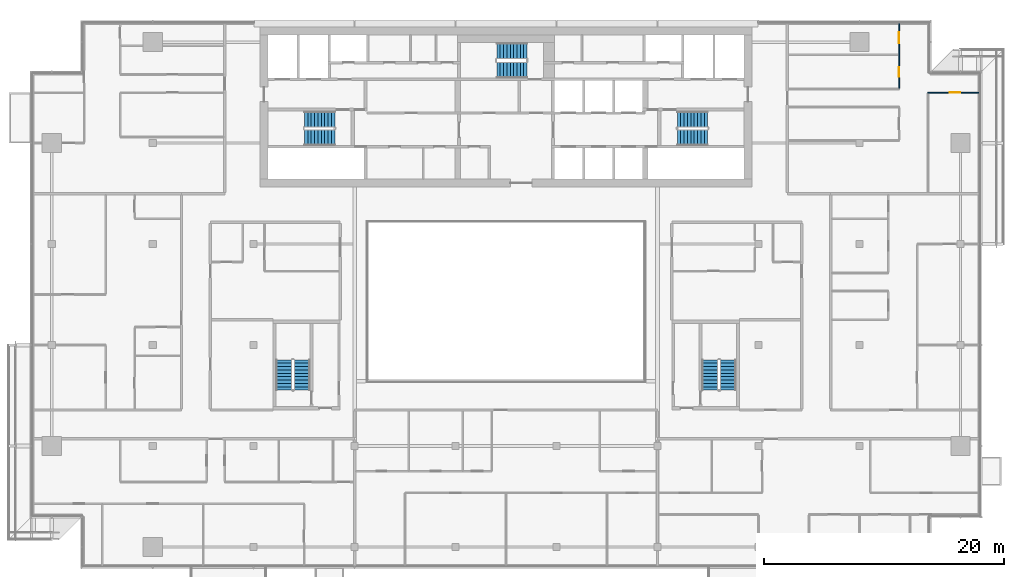
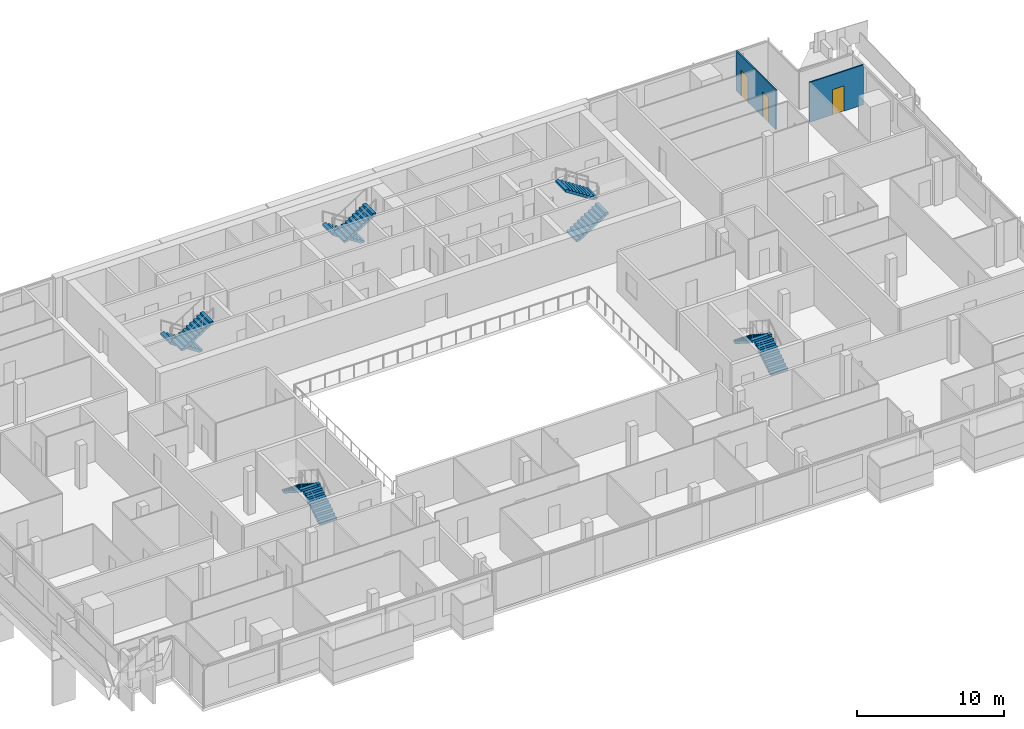
# One storey, part 25 of 30: 10 stair flights, 3 doors, 2 walls, 3 openings, 5 elements without a shape of their own.
"""IFC4 building model written with IfcOpenShell, lengths in metres."""

from ifc_helpers import new_model, si_unit, direction, frame, frame_2d, origin, place, context, subcontext, project, spatial, polyline, rectangle, outline, extrude, material, layer, layer_set, type_object, element, fill, aggregate, save


model = new_model("IFC4")

# Units and contexts
model_context = context("Model", 3, precision=1e-05, world=origin(), true_north=direction((0.0, 1.0)))
body_context = subcontext(model_context, "Body", "Model", "MODEL_VIEW")
ifc_project = project(units=[si_unit("LENGTHUNIT", "METRE"), si_unit("AREAUNIT", "SQUARE_METRE"), si_unit("VOLUMEUNIT", "CUBIC_METRE"), si_unit("PLANEANGLEUNIT", "RADIAN"), si_unit("MASSUNIT", "GRAM", prefix="KILO")], contexts=[model_context])

# Site, building, storey
site_placement = place(None, origin())
site = spatial("IfcSite", under=ifc_project, at=site_placement, CompositionType="ELEMENT")
building_placement = place(site_placement, origin())
building = spatial("IfcBuilding", under=site, at=building_placement, Name="Saffron Gate Tower", CompositionType="ELEMENT")
storey_placement = place(building_placement, frame((0.0, 0.0, 223.5)))
storey = spatial("IfcBuildingStorey", under=building, at=storey_placement, Name="L54", CompositionType="ELEMENT", Elevation=223.5)

# Wall, opening, door
ifc_material_1 = material(Name="Plasterboard on steel studs", Category="steel")
ifc_layer = layer(ifc_material_1, 0.10009765625)
ifc_layer_set = layer_set([ifc_layer], Name="PW1 Partition 100")
wall_type = type_object("IfcWallType", Name="PW1 Partition 100", PredefinedType="PARTITIONING", material=ifc_layer_set)
wall_1_placement = place(storey_placement, frame((126.919921875, 69.60009765625, 0.0), z_axis=(0.0, 0.0, 1.0), x_axis=(-1.0, 0.0, 0.0)))
wall_1 = element("IfcWall", 1, at=wall_1_placement, inside=storey, type_object=wall_type, Name="Partition D2-52", PredefinedType="PARTITIONING", context=body_context, shape_type="SweptSolid", body=[
    extrude(rectangle(XDim=4.219970703125, YDim=0.10009765625, at=frame_2d((2.10986328125, 0.0))), origin(), (0.0, 0.0, 1.0), 3.320068359375),
])
opening_1_placement = place(wall_1_placement, frame((1.52001953125, 0.0, 0.0)))
opening_1 = element("IfcOpeningElement", 2, at=opening_1_placement, cuts=wall_1, Name="Opening D2-34", PredefinedType="OPENING", context=body_context, shape_type="SweptSolid", body=[
    extrude(rectangle(XDim=0.89990234375, YDim=2.10009765625, at=frame_2d((0.449951171875, 1.050048828125))), frame((0.0, 0.06005859375, 0.0), z_axis=(0.0, -1.0, 0.0), x_axis=(1.0, 0.0, 0.0)), (0.0, 0.0, 1.0), 0.1201171875),
])
ifc_material_2 = material(Name="Timber door set", Category="wood")
door_type_1 = type_object("IfcDoorType", Name="RD1 Room door 900x2100", OperationType="NOTDEFINED", PredefinedType="DOOR", material=ifc_material_2)
door_1_placement = place(opening_1_placement, origin())
door_1 = element("IfcDoor", 3, at=door_1_placement, inside=storey, type_object=door_type_1, Name="Door D2-34", OperationType="SINGLE_SWING_LEFT", OverallHeight=2.10009765625, OverallWidth=0.89990234375, PredefinedType="DOOR", context=body_context, shape_type="SweptSolid", body=[
    extrude(rectangle(XDim=0.89990234375, YDim=2.10009765625, at=frame_2d((0.449951171875, 1.050048828125))), frame((0.0, 0.02490234375, 0.0), z_axis=(0.0, -1.0, 0.0), x_axis=(1.0, 0.0, 0.0)), (0.0, 0.0, 1.0), 0.050048828125),
])
fill(opening_1, door_1)

# Wall, openings, doors
wall_2_placement = place(storey_placement, frame((120.300048828125, 69.949951171875, 0.0), z_axis=(0.0, 0.0, 1.0), x_axis=(0.0, 1.0, 0.0)))
wall_2 = element("IfcWall", 4, at=wall_2_placement, inside=storey, type_object=wall_type, Name="Partition D2-113", PredefinedType="PARTITIONING", context=body_context, shape_type="SweptSolid", body=[
    extrude(rectangle(XDim=5.3701171875, YDim=0.10009765625, at=frame_2d((2.68505859375, 0.0))), origin(), (0.0, 0.0, 1.0), 3.320068359375),
])
opening_2_placement = place(wall_2_placement, frame((0.974853515625, 0.0, 0.0)))
opening_2 = element("IfcOpeningElement", 5, at=opening_2_placement, cuts=wall_2, Name="Opening D2-51", PredefinedType="OPENING", context=body_context, shape_type="SweptSolid", body=[
    extrude(rectangle(XDim=0.800048828125, YDim=2.10009765625, at=frame_2d((0.39990234375, 1.050048828125))), frame((0.0, 0.06005859375, 0.0), z_axis=(0.0, -1.0, 0.0), x_axis=(1.0, 0.0, 0.0)), (0.0, 0.0, 1.0), 0.1201171875),
])
opening_3_placement = place(wall_2_placement, frame((3.774658203125, 0.0, 0.0)))
opening_3 = element("IfcOpeningElement", 6, at=opening_3_placement, cuts=wall_2, Name="Opening D2-36", PredefinedType="OPENING", context=body_context, shape_type="SweptSolid", body=[
    extrude(rectangle(XDim=0.89990234375, YDim=2.10009765625, at=frame_2d((0.449951171875, 1.050048828125))), frame((0.0, 0.06005859375, 0.0), z_axis=(0.0, -1.0, 0.0), x_axis=(1.0, 0.0, 0.0)), (0.0, 0.0, 1.0), 0.1201171875),
])
door_2_placement = place(opening_3_placement, origin())
door_2 = element("IfcDoor", 7, at=door_2_placement, inside=storey, type_object=door_type_1, Name="Door D2-36", OperationType="SINGLE_SWING_RIGHT", OverallHeight=2.10009765625, OverallWidth=0.89990234375, PredefinedType="DOOR", context=body_context, shape_type="SweptSolid", body=[
    extrude(rectangle(XDim=0.89990234375, YDim=2.10009765625, at=frame_2d((0.449951171875, 1.050048828125))), frame((0.0, 0.02490234375, 0.0), z_axis=(0.0, -1.0, 0.0), x_axis=(1.0, 0.0, 0.0)), (0.0, 0.0, 1.0), 0.050048828125),
])
fill(opening_3, door_2)
door_type_2 = type_object("IfcDoorType", Name="RD2 Bathroom door 800x2100", OperationType="NOTDEFINED", PredefinedType="DOOR", material=ifc_material_2)
door_3_placement = place(opening_2_placement, origin())
door_3 = element("IfcDoor", 8, at=door_3_placement, inside=storey, type_object=door_type_2, Name="Door D2-51", OperationType="SINGLE_SWING_LEFT", OverallHeight=2.10009765625, OverallWidth=0.800048828125, PredefinedType="DOOR", context=body_context, shape_type="SweptSolid", body=[
    extrude(rectangle(XDim=0.800048828125, YDim=2.10009765625, at=frame_2d((0.39990234375, 1.050048828125))), frame((0.0, 0.02490234375, 0.0), z_axis=(0.0, -1.0, 0.0), x_axis=(1.0, 0.0, 0.0)), (0.0, 0.0, 1.0), 0.050048828125),
])
fill(opening_2, door_3)

# Stair, stair flights
ifc_material_3 = material(Name="Concrete C40", Category="concrete")
stair_type = type_object("IfcStairType", Name="ST7 Stair 1350 wide, 20 risers of 180", PredefinedType="HALF_TURN_STAIR", material=ifc_material_3)
stair_1_placement = place(storey_placement, origin())
stair_1 = element("IfcStair", 9, at=stair_1_placement, inside=storey, type_object=stair_type, Name="L54 Exit stair A", PredefinedType="HALF_TURN_STAIR")
stair_flight_type = type_object("IfcStairFlightType", Name="SF3 Stair flight 1350 wide, riser 180 going 280", PredefinedType="STRAIGHT", material=ifc_material_3)
stair_flight_1_placement = place(storey_placement, frame((73.35009765625, 67.375, 0.0), z_axis=(0.0, 0.0, 1.0), x_axis=(-1.0, 0.0, 0.0)))
stair_flight_1 = element("IfcStairFlight", 10, at=stair_flight_1_placement, type_object=stair_flight_type, Name="ST-A flight 1", NumberOfRisers=10, NumberOfTreads=9, PredefinedType="STRAIGHT", RiserHeight=0.18, TreadLength=0.28, context=body_context, shape_type="SweptSolid", body=[
    extrude(outline(polyline([(0.0, 0.0), (0.0, 0.179931640625), (0.280029296875, 0.179931640625), (0.280029296875, 0.360107421875), (0.56005859375, 0.360107421875), (0.56005859375, 0.5400390625), (0.840087890625, 0.5400390625), (0.840087890625, 0.719970703125), (1.1201171875, 0.719970703125), (1.1201171875, 0.89990234375), (1.39990234375, 0.89990234375), (1.39990234375, 1.080078125), (1.679931640625, 1.080078125), (1.679931640625, 1.260009765625), (1.9599609375, 1.260009765625), (1.9599609375, 1.43994140625), (2.239990234375, 1.43994140625), (2.239990234375, 1.6201171875), (2.52001953125, 1.6201171875), (2.52001953125, 1.800048828125), (2.52001953125, 1.44189453125), (0.277099609375, 0.0), (0.0, 0.0)])), frame((0.0, 0.675048828125, 0.0), z_axis=(0.0, -1.0, 0.0), x_axis=(1.0, 0.0, 0.0)), (0.0, 0.0, 1.0), 1.35009765625),
])
stair_flight_2_placement = place(storey_placement, frame((70.830078125, 65.875, 1.800048828125), z_axis=(0.0, 0.0, 1.0), x_axis=(1.0, 0.0, 0.0)))
stair_flight_2 = element("IfcStairFlight", 11, at=stair_flight_2_placement, type_object=stair_flight_type, Name="ST-A flight 2", NumberOfRisers=10, NumberOfTreads=9, PredefinedType="STRAIGHT", RiserHeight=0.18, TreadLength=0.28, context=body_context, shape_type="SweptSolid", body=[
    extrude(outline(polyline([(0.0, 0.0), (0.0, 0.179931640625), (0.280029296875, 0.179931640625), (0.280029296875, 0.360107421875), (0.56005859375, 0.360107421875), (0.56005859375, 0.5400390625), (0.840087890625, 0.5400390625), (0.840087890625, 0.719970703125), (1.1201171875, 0.719970703125), (1.1201171875, 0.89990234375), (1.39990234375, 0.89990234375), (1.39990234375, 1.080078125), (1.679931640625, 1.080078125), (1.679931640625, 1.260009765625), (1.9599609375, 1.260009765625), (1.9599609375, 1.43994140625), (2.239990234375, 1.43994140625), (2.239990234375, 1.6201171875), (2.52001953125, 1.6201171875), (2.52001953125, 1.800048828125), (2.52001953125, 1.44189453125), (0.277099609375, 0.0), (0.0, 0.0)])), frame((0.0, 0.675048828125, 0.0), z_axis=(0.0, -1.0, 0.0), x_axis=(1.0, 0.0, 0.0)), (0.0, 0.0, 1.0), 1.35009765625),
])
aggregate(stair_1, [stair_flight_1, stair_flight_2])

stair_2_placement = place(storey_placement, origin())
stair_2 = element("IfcStair", 12, at=stair_2_placement, inside=storey, type_object=stair_type, Name="L54 Exit stair B", PredefinedType="HALF_TURN_STAIR")
stair_flight_3_placement = place(storey_placement, frame((101.85009765625, 65.875, 0.0), z_axis=(0.0, 0.0, 1.0), x_axis=(1.0, 0.0, 0.0)))
stair_flight_3 = element("IfcStairFlight", 13, at=stair_flight_3_placement, type_object=stair_flight_type, Name="ST-B flight 1", NumberOfRisers=10, NumberOfTreads=9, PredefinedType="STRAIGHT", RiserHeight=0.18, TreadLength=0.28, context=body_context, shape_type="SweptSolid", body=[
    extrude(outline(polyline([(0.0, 0.0), (0.0, 0.179931640625), (0.280029296875, 0.179931640625), (0.280029296875, 0.360107421875), (0.56005859375, 0.360107421875), (0.56005859375, 0.5400390625), (0.840087890625, 0.5400390625), (0.840087890625, 0.719970703125), (1.1201171875, 0.719970703125), (1.1201171875, 0.89990234375), (1.39990234375, 0.89990234375), (1.39990234375, 1.080078125), (1.679931640625, 1.080078125), (1.679931640625, 1.260009765625), (1.9599609375, 1.260009765625), (1.9599609375, 1.43994140625), (2.239990234375, 1.43994140625), (2.239990234375, 1.6201171875), (2.52001953125, 1.6201171875), (2.52001953125, 1.800048828125), (2.52001953125, 1.44189453125), (0.277099609375, 0.0), (0.0, 0.0)])), frame((0.0, 0.675048828125, 0.0), z_axis=(0.0, -1.0, 0.0), x_axis=(1.0, 0.0, 0.0)), (0.0, 0.0, 1.0), 1.35009765625),
])
stair_flight_4_placement = place(storey_placement, frame((104.3701171875, 67.375, 1.800048828125), z_axis=(0.0, 0.0, 1.0), x_axis=(-1.0, 0.0, 0.0)))
stair_flight_4 = element("IfcStairFlight", 14, at=stair_flight_4_placement, type_object=stair_flight_type, Name="ST-B flight 2", NumberOfRisers=10, NumberOfTreads=9, PredefinedType="STRAIGHT", RiserHeight=0.18, TreadLength=0.28, context=body_context, shape_type="SweptSolid", body=[
    extrude(outline(polyline([(0.0, 0.0), (0.0, 0.179931640625), (0.280029296875, 0.179931640625), (0.280029296875, 0.360107421875), (0.56005859375, 0.360107421875), (0.56005859375, 0.5400390625), (0.840087890625, 0.5400390625), (0.840087890625, 0.719970703125), (1.1201171875, 0.719970703125), (1.1201171875, 0.89990234375), (1.39990234375, 0.89990234375), (1.39990234375, 1.080078125), (1.679931640625, 1.080078125), (1.679931640625, 1.260009765625), (1.9599609375, 1.260009765625), (1.9599609375, 1.43994140625), (2.239990234375, 1.43994140625), (2.239990234375, 1.6201171875), (2.52001953125, 1.6201171875), (2.52001953125, 1.800048828125), (2.52001953125, 1.44189453125), (0.277099609375, 0.0), (0.0, 0.0)])), frame((0.0, 0.675048828125, 0.0), z_axis=(0.0, -1.0, 0.0), x_axis=(1.0, 0.0, 0.0)), (0.0, 0.0, 1.0), 1.35009765625),
])
aggregate(stair_2, [stair_flight_3, stair_flight_4])

stair_3_placement = place(storey_placement, origin())
stair_3 = element("IfcStair", 15, at=stair_3_placement, inside=storey, type_object=stair_type, Name="L54 Exit stair C", PredefinedType="HALF_TURN_STAIR")
stair_flight_5_placement = place(storey_placement, frame((89.35009765625, 73.074951171875, 0.0), z_axis=(0.0, 0.0, 1.0), x_axis=(-1.0, 0.0, 0.0)))
stair_flight_5 = element("IfcStairFlight", 16, at=stair_flight_5_placement, type_object=stair_flight_type, Name="ST-C flight 1", NumberOfRisers=10, NumberOfTreads=9, PredefinedType="STRAIGHT", RiserHeight=0.18, TreadLength=0.28, context=body_context, shape_type="SweptSolid", body=[
    extrude(outline(polyline([(0.0, 0.0), (0.0, 0.179931640625), (0.280029296875, 0.179931640625), (0.280029296875, 0.360107421875), (0.56005859375, 0.360107421875), (0.56005859375, 0.5400390625), (0.840087890625, 0.5400390625), (0.840087890625, 0.719970703125), (1.1201171875, 0.719970703125), (1.1201171875, 0.89990234375), (1.39990234375, 0.89990234375), (1.39990234375, 1.080078125), (1.679931640625, 1.080078125), (1.679931640625, 1.260009765625), (1.9599609375, 1.260009765625), (1.9599609375, 1.43994140625), (2.239990234375, 1.43994140625), (2.239990234375, 1.6201171875), (2.52001953125, 1.6201171875), (2.52001953125, 1.800048828125), (2.52001953125, 1.44189453125), (0.277099609375, 0.0), (0.0, 0.0)])), frame((0.0, 0.675048828125, 0.0), z_axis=(0.0, -1.0, 0.0), x_axis=(1.0, 0.0, 0.0)), (0.0, 0.0, 1.0), 1.35009765625),
])
stair_flight_6_placement = place(storey_placement, frame((86.830078125, 71.47509765625, 1.800048828125), z_axis=(0.0, 0.0, 1.0), x_axis=(1.0, 0.0, 0.0)))
stair_flight_6 = element("IfcStairFlight", 17, at=stair_flight_6_placement, type_object=stair_flight_type, Name="ST-C flight 2", NumberOfRisers=10, NumberOfTreads=9, PredefinedType="STRAIGHT", RiserHeight=0.18, TreadLength=0.28, context=body_context, shape_type="SweptSolid", body=[
    extrude(outline(polyline([(0.0, 0.0), (0.0, 0.179931640625), (0.280029296875, 0.179931640625), (0.280029296875, 0.360107421875), (0.56005859375, 0.360107421875), (0.56005859375, 0.5400390625), (0.840087890625, 0.5400390625), (0.840087890625, 0.719970703125), (1.1201171875, 0.719970703125), (1.1201171875, 0.89990234375), (1.39990234375, 0.89990234375), (1.39990234375, 1.080078125), (1.679931640625, 1.080078125), (1.679931640625, 1.260009765625), (1.9599609375, 1.260009765625), (1.9599609375, 1.43994140625), (2.239990234375, 1.43994140625), (2.239990234375, 1.6201171875), (2.52001953125, 1.6201171875), (2.52001953125, 1.800048828125), (2.52001953125, 1.44189453125), (0.277099609375, 0.0), (0.0, 0.0)])), frame((0.0, 0.675048828125, 0.0), z_axis=(0.0, -1.0, 0.0), x_axis=(1.0, 0.0, 0.0)), (0.0, 0.0, 1.0), 1.35009765625),
])
aggregate(stair_3, [stair_flight_5, stair_flight_6])

stair_4_placement = place(storey_placement, origin())
stair_4 = element("IfcStair", 18, at=stair_4_placement, inside=storey, type_object=stair_type, Name="L54 Exit stair D", PredefinedType="HALF_TURN_STAIR")
stair_flight_7_placement = place(storey_placement, frame((70.625, 44.85009765625, 0.0), z_axis=(0.0, 0.0, 1.0), x_axis=(0.0, 1.0, 0.0)))
stair_flight_7 = element("IfcStairFlight", 19, at=stair_flight_7_placement, type_object=stair_flight_type, Name="ST-D flight 1", NumberOfRisers=10, NumberOfTreads=9, PredefinedType="STRAIGHT", RiserHeight=0.18, TreadLength=0.28, context=body_context, shape_type="SweptSolid", body=[
    extrude(outline(polyline([(0.0, 0.0), (0.0, 0.179931640625), (0.280029296875, 0.179931640625), (0.280029296875, 0.360107421875), (0.56005859375, 0.360107421875), (0.56005859375, 0.5400390625), (0.840087890625, 0.5400390625), (0.840087890625, 0.719970703125), (1.1201171875, 0.719970703125), (1.1201171875, 0.89990234375), (1.39990234375, 0.89990234375), (1.39990234375, 1.080078125), (1.679931640625, 1.080078125), (1.679931640625, 1.260009765625), (1.9599609375, 1.260009765625), (1.9599609375, 1.43994140625), (2.239990234375, 1.43994140625), (2.239990234375, 1.6201171875), (2.52001953125, 1.6201171875), (2.52001953125, 1.800048828125), (2.52001953125, 1.44189453125), (0.277099609375, 0.0), (0.0, 0.0)])), frame((0.0, 0.675048828125, 0.0), z_axis=(0.0, -1.0, 0.0), x_axis=(1.0, 0.0, 0.0)), (0.0, 0.0, 1.0), 1.35009765625),
])
stair_flight_8_placement = place(storey_placement, frame((69.125, 47.3701171875, 1.800048828125), z_axis=(0.0, 0.0, 1.0), x_axis=(0.0, -1.0, 0.0)))
stair_flight_8 = element("IfcStairFlight", 20, at=stair_flight_8_placement, type_object=stair_flight_type, Name="ST-D flight 2", NumberOfRisers=10, NumberOfTreads=9, PredefinedType="STRAIGHT", RiserHeight=0.18, TreadLength=0.28, context=body_context, shape_type="SweptSolid", body=[
    extrude(outline(polyline([(0.0, 0.0), (0.0, 0.179931640625), (0.280029296875, 0.179931640625), (0.280029296875, 0.360107421875), (0.56005859375, 0.360107421875), (0.56005859375, 0.5400390625), (0.840087890625, 0.5400390625), (0.840087890625, 0.719970703125), (1.1201171875, 0.719970703125), (1.1201171875, 0.89990234375), (1.39990234375, 0.89990234375), (1.39990234375, 1.080078125), (1.679931640625, 1.080078125), (1.679931640625, 1.260009765625), (1.9599609375, 1.260009765625), (1.9599609375, 1.43994140625), (2.239990234375, 1.43994140625), (2.239990234375, 1.6201171875), (2.52001953125, 1.6201171875), (2.52001953125, 1.800048828125), (2.52001953125, 1.44189453125), (0.277099609375, 0.0), (0.0, 0.0)])), frame((0.0, 0.675048828125, 0.0), z_axis=(0.0, -1.0, 0.0), x_axis=(1.0, 0.0, 0.0)), (0.0, 0.0, 1.0), 1.35009765625),
])
aggregate(stair_4, [stair_flight_7, stair_flight_8])

stair_5_placement = place(storey_placement, origin())
stair_5 = element("IfcStair", 21, at=stair_5_placement, inside=storey, type_object=stair_type, Name="L54 Exit stair E", PredefinedType="HALF_TURN_STAIR")
stair_flight_9_placement = place(storey_placement, frame((106.074951171875, 44.85009765625, 0.0), z_axis=(0.0, 0.0, 1.0), x_axis=(0.0, 1.0, 0.0)))
stair_flight_9 = element("IfcStairFlight", 22, at=stair_flight_9_placement, type_object=stair_flight_type, Name="ST-E flight 1", NumberOfRisers=10, NumberOfTreads=9, PredefinedType="STRAIGHT", RiserHeight=0.18, TreadLength=0.28, context=body_context, shape_type="SweptSolid", body=[
    extrude(outline(polyline([(0.0, 0.0), (0.0, 0.179931640625), (0.280029296875, 0.179931640625), (0.280029296875, 0.360107421875), (0.56005859375, 0.360107421875), (0.56005859375, 0.5400390625), (0.840087890625, 0.5400390625), (0.840087890625, 0.719970703125), (1.1201171875, 0.719970703125), (1.1201171875, 0.89990234375), (1.39990234375, 0.89990234375), (1.39990234375, 1.080078125), (1.679931640625, 1.080078125), (1.679931640625, 1.260009765625), (1.9599609375, 1.260009765625), (1.9599609375, 1.43994140625), (2.239990234375, 1.43994140625), (2.239990234375, 1.6201171875), (2.52001953125, 1.6201171875), (2.52001953125, 1.800048828125), (2.52001953125, 1.44189453125), (0.277099609375, 0.0), (0.0, 0.0)])), frame((0.0, 0.675048828125, 0.0), z_axis=(0.0, -1.0, 0.0), x_axis=(1.0, 0.0, 0.0)), (0.0, 0.0, 1.0), 1.35009765625),
])
stair_flight_10_placement = place(storey_placement, frame((104.574951171875, 47.3701171875, 1.800048828125), z_axis=(0.0, 0.0, 1.0), x_axis=(0.0, -1.0, 0.0)))
stair_flight_10 = element("IfcStairFlight", 23, at=stair_flight_10_placement, type_object=stair_flight_type, Name="ST-E flight 2", NumberOfRisers=10, NumberOfTreads=9, PredefinedType="STRAIGHT", RiserHeight=0.18, TreadLength=0.28, context=body_context, shape_type="SweptSolid", body=[
    extrude(outline(polyline([(0.0, 0.0), (0.0, 0.179931640625), (0.280029296875, 0.179931640625), (0.280029296875, 0.360107421875), (0.56005859375, 0.360107421875), (0.56005859375, 0.5400390625), (0.840087890625, 0.5400390625), (0.840087890625, 0.719970703125), (1.1201171875, 0.719970703125), (1.1201171875, 0.89990234375), (1.39990234375, 0.89990234375), (1.39990234375, 1.080078125), (1.679931640625, 1.080078125), (1.679931640625, 1.260009765625), (1.9599609375, 1.260009765625), (1.9599609375, 1.43994140625), (2.239990234375, 1.43994140625), (2.239990234375, 1.6201171875), (2.52001953125, 1.6201171875), (2.52001953125, 1.800048828125), (2.52001953125, 1.44189453125), (0.277099609375, 0.0), (0.0, 0.0)])), frame((0.0, 0.675048828125, 0.0), z_axis=(0.0, -1.0, 0.0), x_axis=(1.0, 0.0, 0.0)), (0.0, 0.0, 1.0), 1.35009765625),
])
aggregate(stair_5, [stair_flight_9, stair_flight_10])

save(model, "model.ifc")
